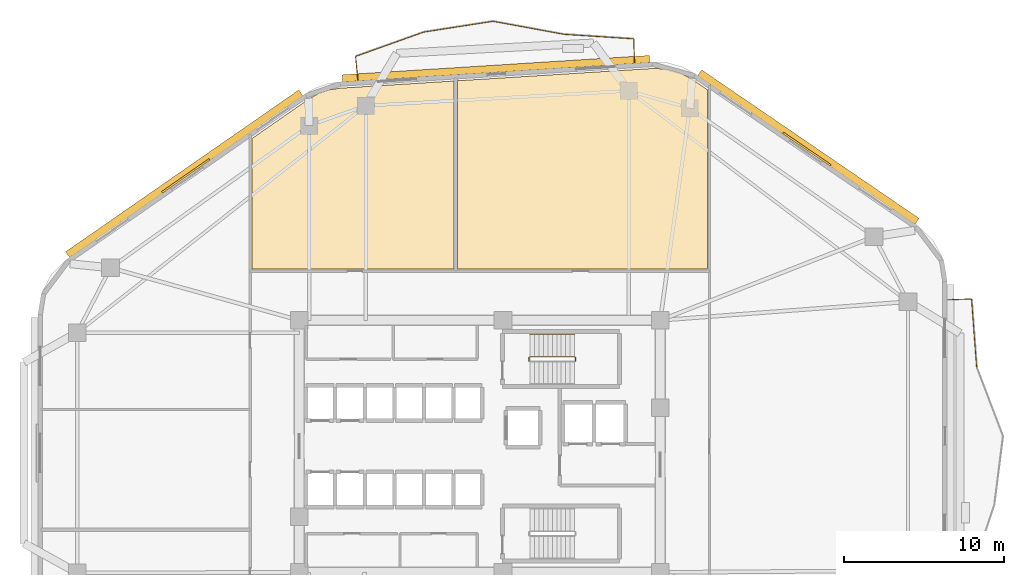
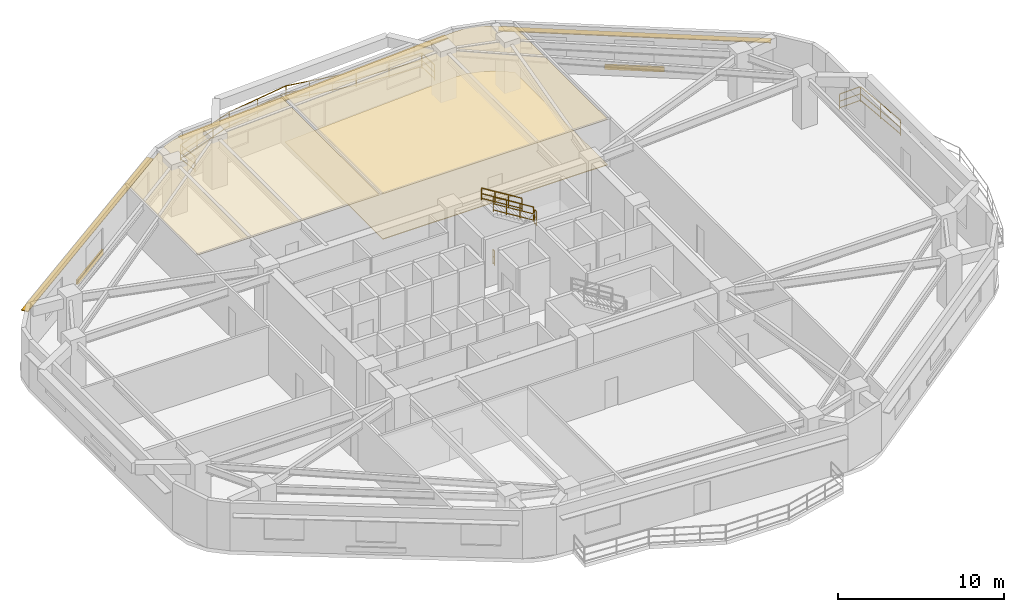
# One storey, part 8 of 8: 12 railings, 5 shading devices, 3 coverings.
"""IFC4 building model written with IfcOpenShell, lengths in metres."""

from ifc_helpers import new_model, si_unit, direction, frame, origin, origin_2d, place, context, subcontext, project, spatial, polyline, rectangle, outline, extrude, material, layer, layer_set, type_object, element, save


model = new_model("IFC4")

# Units and contexts
model_context = context("Model", 3, precision=1e-05, world=origin(), true_north=direction((0.0, 1.0)))
body_context = subcontext(model_context, "Body", "Model", "MODEL_VIEW")
ifc_project = project(units=[si_unit("LENGTHUNIT", "METRE"), si_unit("AREAUNIT", "SQUARE_METRE"), si_unit("VOLUMEUNIT", "CUBIC_METRE"), si_unit("PLANEANGLEUNIT", "RADIAN"), si_unit("MASSUNIT", "GRAM", prefix="KILO")], contexts=[model_context])

# Site, building, storey
site_placement = place(None, origin())
site = spatial("IfcSite", under=ifc_project, at=site_placement, CompositionType="ELEMENT")
building_placement = place(site_placement, origin())
building = spatial("IfcBuilding", under=site, at=building_placement, Name="Zulverin Broadcast Headquarters", CompositionType="ELEMENT")
storey_placement = place(building_placement, frame((0.0, 0.0, 89.60009765625)))
storey = spatial("IfcBuildingStorey", under=building, at=storey_placement, Name="L22", CompositionType="ELEMENT", Elevation=89.60009765625)

# Coverings
ifc_material_1 = material(Name="Perforated pale-metal acoustic baffle ceiling", Category="aluminium")
ifc_layer_1 = layer(ifc_material_1, 0.0400390625, Name="Perforated pale-metal acoustic baffle ceiling", Category="aluminium")
ifc_layer_set_1 = layer_set([ifc_layer_1], Name="Perforated pale-metal acoustic baffle ceiling")
covering_type_1 = type_object("IfcCoveringType", Name="COV-CEIL-ACOU", PredefinedType="CEILING", material=ifc_layer_set_1)
covering_1_placement = place(storey_placement, frame((0.0, 0.0, 3.344970703125)))
element("IfcCovering", 1, at=covering_1_placement, inside=storey, type_object=covering_type_1, Name="L22 Acoustic Baffle Ceiling 01", PredefinedType="CEILING", context=body_context, shape_type="SweptSolid", body=[
    extrude(outline(polyline([(35.3798828125, 36.27197265625), (35.3798828125, 48.02392578125), (28.27587890625, 47.575927734375), (27.575927734375, 47.468017578125), (26.927978515625, 47.243896484375), (26.31591796875, 46.89599609375), (22.77197265625, 44.431884765625), (22.77197265625, 36.27197265625), (35.3798828125, 36.27197265625)])), origin(), (0.0, 0.0, 1.0), 0.0400390625),
])
covering_2_placement = place(storey_placement, frame((0.0, 0.0, 3.344970703125)))
element("IfcCovering", 2, at=covering_2_placement, inside=storey, type_object=covering_type_1, Name="L22 Acoustic Baffle Ceiling 02", PredefinedType="CEILING", context=body_context, shape_type="SweptSolid", body=[
    extrude(outline(polyline([(51.23193359375, 36.27197265625), (51.23193359375, 47.471923828125), (50.248046875, 48.139892578125), (49.491943359375, 48.548095703125), (48.68408203125, 48.76806640625), (47.823974609375, 48.80810546875), (35.6201171875, 48.0400390625), (35.6201171875, 36.27197265625), (51.23193359375, 36.27197265625)])), origin(), (0.0, 0.0, 1.0), 0.0400390625),
])
ifc_material_2 = material(Name="Anti-static broadcast raised access flooring", Category="stone")
ifc_layer_2 = layer(ifc_material_2, 0.050048828125, Name="Anti-static broadcast raised access flooring", Category="stone")
ifc_layer_set_2 = layer_set([ifc_layer_2], Name="Anti-static broadcast raised access flooring")
covering_type_2 = type_object("IfcCoveringType", Name="COV-FLR-RAISED", PredefinedType="FLOORING", material=ifc_layer_set_2)
covering_3_placement = place(storey_placement, origin())
element("IfcCovering", 3, at=covering_3_placement, inside=storey, type_object=covering_type_2, Name="L22 Broadcast Raised Access Flooring 01", PredefinedType="FLOORING", context=body_context, shape_type="SweptSolid", body=[
    extrude(outline(polyline([(51.23193359375, 36.27197265625), (51.23193359375, 47.471923828125), (50.248046875, 48.139892578125), (49.491943359375, 48.548095703125), (48.68408203125, 48.76806640625), (47.823974609375, 48.80810546875), (35.6201171875, 48.0400390625), (35.6201171875, 36.27197265625), (51.23193359375, 36.27197265625)])), origin(), (0.0, 0.0, 1.0), 0.0498046875),
])

# Railings
ifc_material_3 = material(Name="Brushed stainless steel & laminated glass balustrade", Category="steel")
railing_type_1 = type_object("IfcRailingType", Name="RL-GUARD-1150", PredefinedType="GUARDRAIL", material=ifc_material_3)
railing_1_placement = place(storey_placement, frame((68.040283203125, 30.146728515625, 0.0)))
element("IfcRailing", 4, at=railing_1_placement, inside=storey, type_object=railing_type_1, Name="L22 Vertical-Forest Balcony Guardrail BAL_E Segment 05", PredefinedType="GUARDRAIL", context=body_context, shape_type="SweptSolid", body=[
    extrude(rectangle(XDim=0.048095703125, YDim=0.048095703125, at=origin_2d()), frame((0.0, 0.0, 1.1259765625), z_axis=(-0.074822681477, 0.997196854356, 0.0), x_axis=(-0.997196854356, -0.074822681477, 0.0)), (0.0, 0.0, 1.0), 4.2646484375),
    extrude(rectangle(XDim=0.0419921875, YDim=0.0419921875, at=origin_2d()), frame((0.0, 0.0, 0.597900390625), z_axis=(-0.074822681477, 0.997196854356, 0.0), x_axis=(-0.997196854356, -0.074822681477, 0.0)), (0.0, 0.0, 1.0), 4.2646484375),
    extrude(rectangle(XDim=0.0419921875, YDim=0.0419921875, at=origin_2d()), frame((0.0, 0.0, 0.1201171875), z_axis=(-0.074822681477, 0.997196854356, 0.0), x_axis=(-0.997196854356, -0.074822681477, 0.0)), (0.0, 0.0, 1.0), 4.2646484375),
    extrude(rectangle(XDim=0.0419921875, YDim=0.0419921875, at=origin_2d()), origin(), (0.0, 0.0, 1.0), 1.101806640625),
    extrude(rectangle(XDim=0.0419921875, YDim=0.0419921875, at=origin_2d()), frame((-0.15966796875, 2.12646484375, 0.0)), (0.0, 0.0, 1.0), 1.101806640625),
    extrude(rectangle(XDim=0.0419921875, YDim=0.0419921875, at=origin_2d()), frame((-0.319091796875, 4.252685546875, 0.0)), (0.0, 0.0, 1.0), 1.101806640625),
])
railing_2_placement = place(storey_placement, frame((67.705078125, 34.413818359375, 0.0)))
element("IfcRailing", 5, at=railing_2_placement, inside=storey, type_object=railing_type_1, Name="L22 Vertical-Forest Balcony Guardrail BAL_E Segment 06", PredefinedType="GUARDRAIL", context=body_context, shape_type="SweptSolid", body=[
    extrude(rectangle(XDim=0.048095703125, YDim=0.048095703125, at=origin_2d()), frame((0.0, 0.0, 1.1259765625), z_axis=(-0.999181155166, -0.040460093435, 0.0), x_axis=(0.040460093435, -0.999181155166, 0.0)), (0.0, 0.0, 1.0), 1.46630859375),
    extrude(rectangle(XDim=0.0419921875, YDim=0.0419921875, at=origin_2d()), frame((0.0, 0.0, 0.597900390625), z_axis=(-0.999181155166, -0.040460093435, 0.0), x_axis=(0.040460093435, -0.999181155166, 0.0)), (0.0, 0.0, 1.0), 1.46630859375),
    extrude(rectangle(XDim=0.0419921875, YDim=0.0419921875, at=origin_2d()), frame((0.0, 0.0, 0.1201171875), z_axis=(-0.999181155166, -0.040460093435, 0.0), x_axis=(0.040460093435, -0.999181155166, 0.0)), (0.0, 0.0, 1.0), 1.46630859375),
    extrude(rectangle(XDim=0.0419921875, YDim=0.0419921875, at=origin_2d()), origin(), (0.0, 0.0, 1.0), 1.101806640625),
    extrude(rectangle(XDim=0.0419921875, YDim=0.0419921875, at=origin_2d()), frame((-1.465087890625, -0.059326171875, 0.0)), (0.0, 0.0, 1.0), 1.101806640625),
])
railing_3_placement = place(storey_placement, frame((46.662841796875, 49.176025390625, 0.0)))
element("IfcRailing", 6, at=railing_3_placement, inside=storey, type_object=railing_type_1, Name="L22 Vertical-Forest Balcony Guardrail BAL_N Segment 01", PredefinedType="GUARDRAIL", context=body_context, shape_type="SweptSolid", body=[
    extrude(rectangle(XDim=0.048095703125, YDim=0.048095703125, at=origin_2d()), frame((0.0, 0.0, 1.1259765625), z_axis=(-0.022479328211, 0.999747307975, 0.0), x_axis=(-0.999747307975, -0.022479328211, 0.0)), (0.0, 0.0, 1.0), 1.46630859375),
    extrude(rectangle(XDim=0.0419921875, YDim=0.0419921875, at=origin_2d()), frame((0.0, 0.0, 0.597900390625), z_axis=(-0.022479328211, 0.999747307975, 0.0), x_axis=(-0.999747307975, -0.022479328211, 0.0)), (0.0, 0.0, 1.0), 1.46630859375),
    extrude(rectangle(XDim=0.0419921875, YDim=0.0419921875, at=origin_2d()), frame((0.0, 0.0, 0.1201171875), z_axis=(-0.022479328211, 0.999747307975, 0.0), x_axis=(-0.999747307975, -0.022479328211, 0.0)), (0.0, 0.0, 1.0), 1.46630859375),
    extrude(rectangle(XDim=0.0419921875, YDim=0.0419921875, at=origin_2d()), origin(), (0.0, 0.0, 1.0), 1.101806640625),
    extrude(rectangle(XDim=0.0419921875, YDim=0.0419921875, at=origin_2d()), frame((-0.032958984375, 1.4658203125, 0.0)), (0.0, 0.0, 1.0), 1.101806640625),
])
railing_4_placement = place(storey_placement, frame((46.614501953125, 50.657958984375, 0.0)))
element("IfcRailing", 7, at=railing_4_placement, inside=storey, type_object=railing_type_1, Name="L22 Vertical-Forest Balcony Guardrail BAL_N Segment 02", PredefinedType="GUARDRAIL", context=body_context, shape_type="SweptSolid", body=[
    extrude(rectangle(XDim=0.048095703125, YDim=0.048095703125, at=origin_2d()), frame((0.0, 0.0, 1.1259765625), z_axis=(-0.997884053824, 0.065018575224, 0.0), x_axis=(-0.065018575224, -0.997884053824, 0.0)), (0.0, 0.0, 1.0), 4.36328125),
    extrude(rectangle(XDim=0.0419921875, YDim=0.0419921875, at=origin_2d()), frame((0.0, 0.0, 0.597900390625), z_axis=(-0.997884053824, 0.065018575224, 0.0), x_axis=(-0.065018575224, -0.997884053824, 0.0)), (0.0, 0.0, 1.0), 4.36328125),
    extrude(rectangle(XDim=0.0419921875, YDim=0.0419921875, at=origin_2d()), frame((0.0, 0.0, 0.1201171875), z_axis=(-0.997884053824, 0.065018575224, 0.0), x_axis=(-0.065018575224, -0.997884053824, 0.0)), (0.0, 0.0, 1.0), 4.36328125),
    extrude(rectangle(XDim=0.0419921875, YDim=0.0419921875, at=origin_2d()), origin(), (0.0, 0.0, 1.0), 1.101806640625),
    extrude(rectangle(XDim=0.0419921875, YDim=0.0419921875, at=origin_2d()), frame((-2.177001953125, 0.141845703125, 0.0)), (0.0, 0.0, 1.0), 1.101806640625),
    extrude(rectangle(XDim=0.0419921875, YDim=0.0419921875, at=origin_2d()), frame((-4.35400390625, 0.28369140625, 0.0)), (0.0, 0.0, 1.0), 1.101806640625),
])
railing_5_placement = place(storey_placement, frame((42.230712890625, 50.9453125, 0.0)))
element("IfcRailing", 8, at=railing_5_placement, inside=storey, type_object=railing_type_1, Name="L22 Vertical-Forest Balcony Guardrail BAL_N Segment 03", PredefinedType="GUARDRAIL", context=body_context, shape_type="SweptSolid", body=[
    extrude(rectangle(XDim=0.048095703125, YDim=0.048095703125, at=origin_2d()), frame((0.0, 0.0, 1.1259765625), z_axis=(-0.983498315352, 0.180917284139, 0.0), x_axis=(-0.180917284139, -0.983498315352, 0.0)), (0.0, 0.0, 1.0), 4.46142578125),
    extrude(rectangle(XDim=0.0419921875, YDim=0.0419921875, at=origin_2d()), frame((0.0, 0.0, 0.597900390625), z_axis=(-0.983498315352, 0.180917284139, 0.0), x_axis=(-0.180917284139, -0.983498315352, 0.0)), (0.0, 0.0, 1.0), 4.46142578125),
    extrude(rectangle(XDim=0.0419921875, YDim=0.0419921875, at=origin_2d()), frame((0.0, 0.0, 0.1201171875), z_axis=(-0.983498315352, 0.180917284139, 0.0), x_axis=(-0.180917284139, -0.983498315352, 0.0)), (0.0, 0.0, 1.0), 4.46142578125),
    extrude(rectangle(XDim=0.0419921875, YDim=0.0419921875, at=origin_2d()), origin(), (0.0, 0.0, 1.0), 1.101806640625),
    extrude(rectangle(XDim=0.0419921875, YDim=0.0419921875, at=origin_2d()), frame((-1.462646484375, 0.26904296875, 0.0)), (0.0, 0.0, 1.0), 1.101806640625),
    extrude(rectangle(XDim=0.0419921875, YDim=0.0419921875, at=origin_2d()), frame((-2.925048828125, 0.5380859375, 0.0)), (0.0, 0.0, 1.0), 1.101806640625),
    extrude(rectangle(XDim=0.0419921875, YDim=0.0419921875, at=origin_2d()), frame((-4.3876953125, 0.80712890625, 0.0)), (0.0, 0.0, 1.0), 1.101806640625),
])
railing_6_placement = place(storey_placement, frame((37.8134765625, 51.7529296875, 0.0)))
element("IfcRailing", 9, at=railing_6_placement, inside=storey, type_object=railing_type_1, Name="L22 Vertical-Forest Balcony Guardrail BAL_N Segment 04", PredefinedType="GUARDRAIL", context=body_context, shape_type="SweptSolid", body=[
    extrude(rectangle(XDim=0.048095703125, YDim=0.048095703125, at=origin_2d()), frame((0.0, 0.0, 1.1259765625), z_axis=(-0.988057241682, -0.154087271245, 0.0), x_axis=(0.154087271245, -0.988057241682, 0.0)), (0.0, 0.0, 1.0), 4.34619140625),
    extrude(rectangle(XDim=0.0419921875, YDim=0.0419921875, at=origin_2d()), frame((0.0, 0.0, 0.597900390625), z_axis=(-0.988057241682, -0.154087271245, 0.0), x_axis=(0.154087271245, -0.988057241682, 0.0)), (0.0, 0.0, 1.0), 4.34619140625),
    extrude(rectangle(XDim=0.0419921875, YDim=0.0419921875, at=origin_2d()), frame((0.0, 0.0, 0.1201171875), z_axis=(-0.988057241682, -0.154087271245, 0.0), x_axis=(0.154087271245, -0.988057241682, 0.0)), (0.0, 0.0, 1.0), 4.34619140625),
    extrude(rectangle(XDim=0.0419921875, YDim=0.0419921875, at=origin_2d()), origin(), (0.0, 0.0, 1.0), 1.101806640625),
    extrude(rectangle(XDim=0.0419921875, YDim=0.0419921875, at=origin_2d()), frame((-2.14697265625, -0.3349609375, 0.0)), (0.0, 0.0, 1.0), 1.101806640625),
    extrude(rectangle(XDim=0.0419921875, YDim=0.0419921875, at=origin_2d()), frame((-4.294189453125, -0.669677734375, 0.0)), (0.0, 0.0, 1.0), 1.101806640625),
])
railing_7_placement = place(storey_placement, frame((33.490478515625, 51.075927734375, 0.0)))
element("IfcRailing", 10, at=railing_7_placement, inside=storey, type_object=railing_type_1, Name="L22 Vertical-Forest Balcony Guardrail BAL_N Segment 05", PredefinedType="GUARDRAIL", context=body_context, shape_type="SweptSolid", body=[
    extrude(rectangle(XDim=0.048095703125, YDim=0.048095703125, at=origin_2d()), frame((0.0, 0.0, 1.1259765625), z_axis=(-0.942022481817, -0.335549763451, 0.0), x_axis=(0.335549763451, -0.942022481817, 0.0)), (0.0, 0.0, 1.0), 4.5029296875),
    extrude(rectangle(XDim=0.0419921875, YDim=0.0419921875, at=origin_2d()), frame((0.0, 0.0, 0.597900390625), z_axis=(-0.942022481817, -0.335549763451, 0.0), x_axis=(0.335549763451, -0.942022481817, 0.0)), (0.0, 0.0, 1.0), 4.5029296875),
    extrude(rectangle(XDim=0.0419921875, YDim=0.0419921875, at=origin_2d()), frame((0.0, 0.0, 0.1201171875), z_axis=(-0.942022481817, -0.335549763451, 0.0), x_axis=(0.335549763451, -0.942022481817, 0.0)), (0.0, 0.0, 1.0), 4.5029296875),
    extrude(rectangle(XDim=0.0419921875, YDim=0.0419921875, at=origin_2d()), origin(), (0.0, 0.0, 1.0), 1.101806640625),
    extrude(rectangle(XDim=0.0419921875, YDim=0.0419921875, at=origin_2d()), frame((-1.4140625, -0.503662109375, 0.0)), (0.0, 0.0, 1.0), 1.101806640625),
    extrude(rectangle(XDim=0.0419921875, YDim=0.0419921875, at=origin_2d()), frame((-2.827880859375, -1.00732421875, 0.0)), (0.0, 0.0, 1.0), 1.101806640625),
    extrude(rectangle(XDim=0.0419921875, YDim=0.0419921875, at=origin_2d()), frame((-4.241943359375, -1.510986328125, 0.0)), (0.0, 0.0, 1.0), 1.101806640625),
])
railing_8_placement = place(storey_placement, frame((29.236083984375, 49.545166015625, 0.0)))
element("IfcRailing", 11, at=railing_8_placement, inside=storey, type_object=railing_type_1, Name="L22 Vertical-Forest Balcony Guardrail BAL_N Segment 06", PredefinedType="GUARDRAIL", context=body_context, shape_type="SweptSolid", body=[
    extrude(rectangle(XDim=0.048095703125, YDim=0.048095703125, at=origin_2d()), frame((0.0, 0.0, 1.1259765625), z_axis=(0.103393334431, -0.994640547331, 0.0), x_axis=(0.994640547331, 0.103393334431, 0.0)), (0.0, 0.0, 1.0), 1.46630859375),
    extrude(rectangle(XDim=0.0419921875, YDim=0.0419921875, at=origin_2d()), frame((0.0, 0.0, 0.597900390625), z_axis=(0.103393334431, -0.994640547331, 0.0), x_axis=(0.994640547331, 0.103393334431, 0.0)), (0.0, 0.0, 1.0), 1.46630859375),
    extrude(rectangle(XDim=0.0419921875, YDim=0.0419921875, at=origin_2d()), frame((0.0, 0.0, 0.1201171875), z_axis=(0.103393334431, -0.994640547331, 0.0), x_axis=(0.994640547331, 0.103393334431, 0.0)), (0.0, 0.0, 1.0), 1.46630859375),
    extrude(rectangle(XDim=0.0419921875, YDim=0.0419921875, at=origin_2d()), origin(), (0.0, 0.0, 1.0), 1.101806640625),
    extrude(rectangle(XDim=0.0419921875, YDim=0.0419921875, at=origin_2d()), frame((0.151611328125, -1.45849609375, 0.0)), (0.0, 0.0, 1.0), 1.101806640625),
])
ifc_material_4 = material(Name="Painted galvanized steel tubular guardrail S355JR", Category="steel")
railing_type_2 = type_object("IfcRailingType", Name="RL-ST-GUARD", PredefinedType="GUARDRAIL", material=ifc_material_4)
railing_9_placement = place(storey_placement, frame((42.97998046875, 30.550048828125, 1.89990234375)))
element("IfcRailing", 12, at=railing_9_placement, inside=storey, type_object=railing_type_2, Name="L22 ST-1 stair guard 2", PredefinedType="GUARDRAIL", context=body_context, shape_type="SweptSolid", body=[
    extrude(rectangle(XDim=0.048095703125, YDim=0.048095703125, at=origin_2d()), frame((0.0, 0.0, 1.076171875), z_axis=(0.0, 1.0, 0.0), x_axis=(-1.0, 0.0, 0.0)), (0.0, 0.0, 1.0), 0.199951171875),
    extrude(rectangle(XDim=0.0419921875, YDim=0.0419921875, at=origin_2d()), frame((0.0, 0.0, 0.572021484375), z_axis=(0.0, 1.0, 0.0), x_axis=(-1.0, 0.0, 0.0)), (0.0, 0.0, 1.0), 0.199951171875),
    extrude(rectangle(XDim=0.0419921875, YDim=0.0419921875, at=origin_2d()), frame((0.0, 0.0, 0.1201171875), z_axis=(0.0, 1.0, 0.0), x_axis=(-1.0, 0.0, 0.0)), (0.0, 0.0, 1.0), 0.199951171875),
    extrude(rectangle(XDim=0.0419921875, YDim=0.0419921875, at=origin_2d()), origin(), (0.0, 0.0, 1.0), 1.052001953125),
    extrude(rectangle(XDim=0.0419921875, YDim=0.0419921875, at=origin_2d()), frame((0.0, 0.199951171875, 0.0)), (0.0, 0.0, 1.0), 1.052001953125),
])
railing_10_placement = place(storey_placement, frame((42.929931640625, 30.800048828125, 2.072509765625)))
element("IfcRailing", 13, at=railing_10_placement, inside=storey, type_object=railing_type_2, Name="L22 ST-1 stair guard 3", PredefinedType="GUARDRAIL", context=body_context, shape_type="SweptSolid", body=[
    extrude(rectangle(XDim=0.048095703125, YDim=0.048095703125, at=origin_2d()), frame((0.0, 0.0, 1.076171875), z_axis=(-0.851089632645, 0.0, 0.525020415988), x_axis=(0.0, -1.0, 0.0)), (0.0, 0.0, 1.0), 3.2900390625),
    extrude(rectangle(XDim=0.0419921875, YDim=0.0419921875, at=origin_2d()), frame((0.0, 0.0, 0.572021484375), z_axis=(-0.851089632645, 0.0, 0.525020415988), x_axis=(0.0, -1.0, 0.0)), (0.0, 0.0, 1.0), 3.2900390625),
    extrude(rectangle(XDim=0.0419921875, YDim=0.0419921875, at=origin_2d()), frame((0.0, 0.0, 0.1201171875), z_axis=(-0.851089632645, 0.0, 0.525020415988), x_axis=(0.0, -1.0, 0.0)), (0.0, 0.0, 1.0), 3.2900390625),
    extrude(rectangle(XDim=0.0419921875, YDim=0.0419921875, at=origin_2d()), origin(), (0.0, 0.0, 1.0), 1.052001953125),
    extrude(rectangle(XDim=0.0419921875, YDim=0.0419921875, at=origin_2d()), frame((-0.933349609375, 0.0, 0.57568359375)), (0.0, 0.0, 1.0), 1.052001953125),
    extrude(rectangle(XDim=0.0419921875, YDim=0.0419921875, at=origin_2d()), frame((-1.86669921875, 0.0, 1.151611328125)), (0.0, 0.0, 1.0), 1.052001953125),
    extrude(rectangle(XDim=0.0419921875, YDim=0.0419921875, at=origin_2d()), frame((-2.800048828125, 0.0, 1.727294921875)), (0.0, 0.0, 1.0), 1.052001953125),
])
railing_11_placement = place(storey_placement, frame((40.080078125, 30.550048828125, 0.0)))
element("IfcRailing", 14, at=railing_11_placement, inside=storey, type_object=railing_type_2, Name="L22 ST-1 stair guard 4", PredefinedType="GUARDRAIL", context=body_context, shape_type="SweptSolid", body=[
    extrude(rectangle(XDim=0.048095703125, YDim=0.048095703125, at=origin_2d()), frame((0.0, 0.0, 1.076171875), z_axis=(0.0, 1.0, 0.0), x_axis=(-1.0, 0.0, 0.0)), (0.0, 0.0, 1.0), 0.199951171875),
    extrude(rectangle(XDim=0.0419921875, YDim=0.0419921875, at=origin_2d()), frame((0.0, 0.0, 0.572021484375), z_axis=(0.0, 1.0, 0.0), x_axis=(-1.0, 0.0, 0.0)), (0.0, 0.0, 1.0), 0.199951171875),
    extrude(rectangle(XDim=0.0419921875, YDim=0.0419921875, at=origin_2d()), frame((0.0, 0.0, 0.1201171875), z_axis=(0.0, 1.0, 0.0), x_axis=(-1.0, 0.0, 0.0)), (0.0, 0.0, 1.0), 0.199951171875),
    extrude(rectangle(XDim=0.0419921875, YDim=0.0419921875, at=origin_2d()), origin(), (0.0, 0.0, 1.0), 1.052001953125),
    extrude(rectangle(XDim=0.0419921875, YDim=0.0419921875, at=origin_2d()), frame((0.0, 0.199951171875, 0.0)), (0.0, 0.0, 1.0), 1.052001953125),
])
ifc_material_5 = material(Name="Brushed stainless steel 48 mm handrail", Category="steel")
railing_type_3 = type_object("IfcRailingType", Name="RL-ST-HAND", PredefinedType="HANDRAIL", material=ifc_material_5)
railing_12_placement = place(storey_placement, frame((42.929931640625, 32.199951171875, 2.072509765625)))
element("IfcRailing", 15, at=railing_12_placement, inside=storey, type_object=railing_type_3, Name="L22 ST-1 stair handrail 2", PredefinedType="HANDRAIL", context=body_context, shape_type="SweptSolid", body=[
    extrude(rectangle(XDim=0.048095703125, YDim=0.048095703125, at=origin_2d()), frame((0.0, 0.0, 0.8759765625), z_axis=(-0.851089632645, 0.0, 0.525020415988), x_axis=(0.0, -1.0, 0.0)), (0.0, 0.0, 1.0), 3.2900390625),
    extrude(rectangle(XDim=0.0419921875, YDim=0.0419921875, at=origin_2d()), frame((0.0, 0.0, 0.468017578125), z_axis=(-0.851089632645, 0.0, 0.525020415988), x_axis=(0.0, -1.0, 0.0)), (0.0, 0.0, 1.0), 3.2900390625),
    extrude(rectangle(XDim=0.0419921875, YDim=0.0419921875, at=origin_2d()), frame((0.0, 0.0, 0.1201171875), z_axis=(-0.851089632645, 0.0, 0.525020415988), x_axis=(0.0, -1.0, 0.0)), (0.0, 0.0, 1.0), 3.2900390625),
    extrude(rectangle(XDim=0.0419921875, YDim=0.0419921875, at=origin_2d()), origin(), (0.0, 0.0, 1.0), 0.851806640625),
    extrude(rectangle(XDim=0.0419921875, YDim=0.0419921875, at=origin_2d()), frame((-0.933349609375, 0.0, 0.57568359375)), (0.0, 0.0, 1.0), 0.851806640625),
    extrude(rectangle(XDim=0.0419921875, YDim=0.0419921875, at=origin_2d()), frame((-1.86669921875, 0.0, 1.151611328125)), (0.0, 0.0, 1.0), 0.851806640625),
    extrude(rectangle(XDim=0.0419921875, YDim=0.0419921875, at=origin_2d()), frame((-2.800048828125, 0.0, 1.727294921875)), (0.0, 0.0, 1.0), 0.851806640625),
])

# Shading devices
ifc_material_6 = material(Name="Anodized pale-metal aluminium acoustic louvre", Category="aluminium")
shading_device_type_1 = type_object("IfcShadingDeviceType", Name="SHD-LOUVRE-350", PredefinedType="USERDEFINED", material=ifc_material_6)
for number, where, z_axis, x_axis, name in (
    (16, (57.435302734375, 43.76708984375, 0.244873046875), (0.0, 0.0, 1.0), (-0.825756855157, 0.564026254851, 0.0), "L22 Spandrel Intake Louvre 4"),
    (17, (18.631103515625, 42.0966796875, 0.244873046875), (0.0, 0.0, 1.0), (-0.821556397865, -0.57012725345, 0.0), "L22 Spandrel Intake Louvre 6"),
):
    element("IfcShadingDevice", number, at=place(storey_placement, frame(where, z_axis=z_axis, x_axis=x_axis)), inside=storey, type_object=shading_device_type_1, Name=name, ObjectType="LOUVRE", PredefinedType="USERDEFINED", context=body_context, shape_type="SweptSolid", body=[
        extrude(rectangle(XDim=3.60009765625, YDim=0.1201171875, at=origin_2d()), origin(), (0.0, 0.0, 1.0), 0.35009765625),
    ])
ifc_material_7 = material(Name="Anodized pale-metal aluminium sunshade", Category="aluminium")
ifc_layer_3 = layer(ifc_material_7, 0.06005859375, Name="Anodized pale-metal aluminium sunshade", Category="aluminium")
ifc_layer_set_3 = layer_set([ifc_layer_3], Name="Anodized pale-metal aluminium sunshade")
shading_device_type_2 = type_object("IfcShadingDeviceType", Name="SS-01_PALE_METAL_ALUMINIUM_SUNSHADE", PredefinedType="USERDEFINED", material=ifc_layer_set_3)
shading_device_1_placement = place(storey_placement, frame((57.525390625, 43.8994140625, 2.7099609375), z_axis=(0.0, 0.0, 1.0), x_axis=(-0.825756855157, 0.564026254851, 0.0)))
element("IfcShadingDevice", 18, at=shading_device_1_placement, inside=storey, type_object=shading_device_type_2, Name="L22 Horizontal Pale-Metal Sunshade Band 4", ObjectType="SUNSHADE", PredefinedType="USERDEFINED", context=body_context, shape_type="SweptSolid", body=[
    extrude(rectangle(XDim=16.4482421875, YDim=0.449951171875, at=origin_2d()), origin(), (0.0, 0.0, 1.0), 0.06005859375),
])
shading_device_2_placement = place(storey_placement, frame((38.01513671875, 48.791015625, 2.7099609375), z_axis=(0.0, 0.0, 1.0), x_axis=(-0.998017621976, -0.062935095345, 0.0)))
element("IfcShadingDevice", 19, at=shading_device_2_placement, inside=storey, type_object=shading_device_type_2, Name="L22 Horizontal Pale-Metal Sunshade Band 5", ObjectType="SUNSHADE", PredefinedType="USERDEFINED", context=body_context, shape_type="SweptSolid", body=[
    extrude(rectangle(XDim=19.2294921875, YDim=0.449951171875, at=origin_2d()), origin(), (0.0, 0.0, 1.0), 0.06005859375),
])
shading_device_3_placement = place(storey_placement, frame((18.539794921875, 42.22802734375, 2.7099609375), z_axis=(0.0, 0.0, 1.0), x_axis=(-0.821556397865, -0.57012725345, 0.0)))
element("IfcShadingDevice", 20, at=shading_device_3_placement, inside=storey, type_object=shading_device_type_2, Name="L22 Horizontal Pale-Metal Sunshade Band 6", ObjectType="SUNSHADE", PredefinedType="USERDEFINED", context=body_context, shape_type="SweptSolid", body=[
    extrude(rectangle(XDim=17.732421875, YDim=0.449951171875, at=origin_2d()), origin(), (0.0, 0.0, 1.0), 0.06005859375),
])

save(model, "model.ifc")
